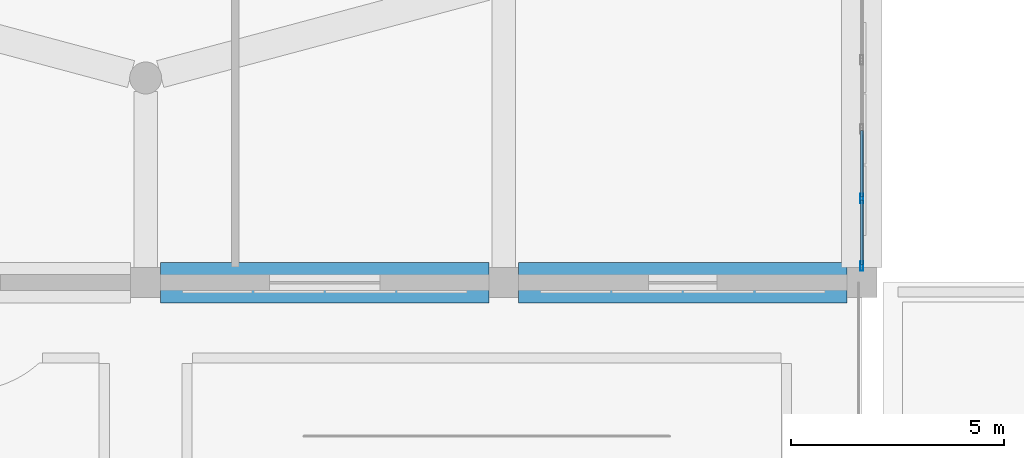
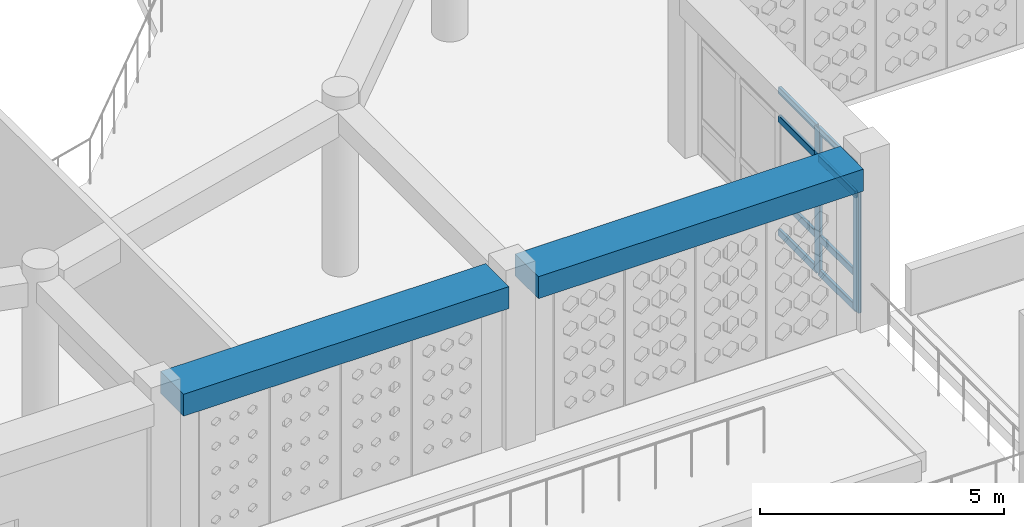
# One storey, part 14 of 100: 10 members, 2 beams, 1 element without a shape of its own.
"""IFC4 building model written with IfcOpenShell, lengths in metres."""

import ifcopenshell
import ifcopenshell.guid

model = None  # the IFC model being written
_history = None  # IfcOwnerHistory: only IFC2X3 demands one
_inside = {}  # id of a spatial element -> (the spatial element, [elements in it])
_under = {}  # id of a project, library or spatial element -> (it, [spatial elements below it])
_declared = {}  # id of a project -> (the project, [libraries it declares])
_typed = {}  # id of a type object -> (the type object, [elements of that type])
_made_of = {}  # id of a material, layer set ... -> (it, [elements and type objects made of it])


def new_model(schema):
    """Start an empty IFC model of exactly this schema.

    Asked for "IFC4X3", IfcOpenShell would pick the latest addendum, in which some entities
    have other attributes; the version numbers below select the first issue.
    IFC2X3 requires an IfcOwnerHistory on every rooted entity: one is made here for all.
    """
    global model, _history
    if schema == "IFC4X3":
        model = ifcopenshell.file(schema_version=(4, 3, 0, 0))
    else:
        model = ifcopenshell.file(schema=schema)
    _inside.clear()
    _under.clear()
    _declared.clear()
    _typed.clear()
    _made_of.clear()
    _history = None
    if model.schema == "IFC2X3":
        org = make("IfcOrganization", Name="unknown")
        user = make(
            "IfcPersonAndOrganization",
            ThePerson=make("IfcPerson", FamilyName="unknown"),
            TheOrganization=org,
        )
        app = make(
            "IfcApplication",
            ApplicationDeveloper=org,
            Version="unknown",
            ApplicationFullName="unknown",
            ApplicationIdentifier="unknown",
        )
        _history = make(
            "IfcOwnerHistory",
            OwningUser=user,
            OwningApplication=app,
            ChangeAction="ADDED",
            CreationDate=0,
        )
    return model


def make(cls, **values):
    """One entity of the class cls with the attributes given. An attribute that is None is left unset."""
    return model.create_entity(
        cls, **{name: value for name, value in values.items() if value is not None}
    )


def rooted(cls, **values):
    """An entity with a GlobalId (a new one), such as an element, a storey or a relation."""
    return make(cls, GlobalId=ifcopenshell.guid.new(), OwnerHistory=_history, **values)


def si_unit(unit_type, name, prefix=None):
    """IfcSIUnit, for example si_unit("LENGTHUNIT", "METRE", prefix="MILLI")."""
    return make("IfcSIUnit", UnitType=unit_type, Prefix=prefix, Name=name)


def derived_unit(unit_type, elements):
    """IfcDerivedUnit: a product of units, each with its exponent."""
    return make(
        "IfcDerivedUnit",
        Elements=[
            make("IfcDerivedUnitElement", Unit=unit, Exponent=power)
            for unit, power in elements
        ],
        UnitType=unit_type,
    )


def assignment(units):
    """IfcUnitAssignment: the units of a project."""
    return None if units is None else make("IfcUnitAssignment", Units=units)


def point(xyz):
    """IfcCartesianPoint."""
    return None if xyz is None else make("IfcCartesianPoint", Coordinates=xyz)


def direction(xyz):
    """IfcDirection."""
    return None if xyz is None else make("IfcDirection", DirectionRatios=xyz)


def frame(location, z_axis=None, x_axis=None):
    """IfcAxis2Placement3D, a coordinate frame: its origin and axes. An axis left out is left unset."""
    return make(
        "IfcAxis2Placement3D",
        Location=point(location),
        Axis=direction(z_axis),
        RefDirection=direction(x_axis),
    )


def frame_2d(location, x_axis=None):
    """IfcAxis2Placement2D, a coordinate frame in the plane: its origin and x axis."""
    return make(
        "IfcAxis2Placement2D", Location=point(location), RefDirection=direction(x_axis)
    )


def origin():
    """The frame at (0, 0, 0) with its axes left unset."""
    return frame((0.0, 0.0, 0.0))


def origin_2d():
    """The frame at (0, 0) in the plane with its x axis left unset."""
    return frame_2d((0.0, 0.0))


def place(relative_to, where):
    """IfcLocalPlacement: puts the frame where relative to a parent placement (None: the world)."""
    return make(
        "IfcLocalPlacement", PlacementRelTo=relative_to, RelativePlacement=where
    )


def context(
    kind, dimensions, precision=None, world=None, true_north=None, identifier=None
):
    """IfcGeometricRepresentationContext, for example the 3D "Model" context."""
    return make(
        "IfcGeometricRepresentationContext",
        ContextIdentifier=identifier,
        ContextType=kind,
        CoordinateSpaceDimension=dimensions,
        Precision=precision,
        WorldCoordinateSystem=world,
        TrueNorth=true_north,
    )


def subcontext(parent, identifier, kind, view, scale=None):
    """IfcGeometricRepresentationSubContext, for example "Body" below "Model"."""
    return make(
        "IfcGeometricRepresentationSubContext",
        ContextIdentifier=identifier,
        ContextType=kind,
        ParentContext=parent,
        TargetScale=scale,
        TargetView=view,
    )


def project(units=None, contexts=None):
    """IfcProject with its units and contexts."""
    return rooted(
        "IfcProject",
        Name="project",
        RepresentationContexts=contexts,
        UnitsInContext=assignment(units),
    )


def spatial(cls, under=None, at=None, **own):
    """A site, building, storey or space (cls), placed at a placement, below another one or the project."""
    s = rooted(cls, ObjectPlacement=at, **own)
    if under is not None:
        _under.setdefault(under.id(), (under, []))[1].append(s)
    return s


def profile(cls, at=None, kind="AREA", **sizes):
    """A parametric profile (cls). Its sizes go by their IFC names, for example OverallWidth=200.0."""
    return make(cls, ProfileType=kind, Position=at, **sizes)


def rectangle(**sizes):
    """IfcRectangleProfileDef."""
    return profile("IfcRectangleProfileDef", **sizes)


def hollow_rectangle(**sizes):
    """IfcRectangleHollowProfileDef."""
    return profile("IfcRectangleHollowProfileDef", **sizes)


def extrude(swept, where, along, depth):
    """IfcExtrudedAreaSolid: the profile swept, set in the frame where, extruded along a direction by depth."""
    return make(
        "IfcExtrudedAreaSolid",
        SweptArea=swept,
        Position=where,
        ExtrudedDirection=direction(along),
        Depth=depth,
    )


def shape(context_of_items, identifier, shape_type, items):
    """IfcShapeRepresentation: the items that make up one representation, for example the "Body"."""
    return make(
        "IfcShapeRepresentation",
        ContextOfItems=context_of_items,
        RepresentationIdentifier=identifier,
        RepresentationType=shape_type,
        Items=items,
    )


def material(Name=None, Category=None):
    """IfcMaterial."""
    return make("IfcMaterial", Name=Name, Category=Category)


def material_profile(
    of_material, cross_section, Name=None, Category=None, Priority=None
):
    """IfcMaterialProfile: a cross section and its material."""
    return make(
        "IfcMaterialProfile",
        Name=Name,
        Material=of_material,
        Profile=cross_section,
        Priority=Priority,
        Category=Category,
    )


def profile_set(profiles, Name=None, composite=None):
    """IfcMaterialProfileSet."""
    return make(
        "IfcMaterialProfileSet",
        Name=Name,
        MaterialProfiles=profiles,
        CompositeProfile=composite,
    )


def made_of(thing, what):
    """Note that an element or type object is made of a material, layer set ...; save() writes the relation."""
    if what is not None:
        _made_of.setdefault(what.id(), (what, []))[1].append(thing)
    return thing


def type_object(cls, material=None, **own):
    """A type object (cls), such as IfcWallType, which elements share."""
    return made_of(rooted(cls, **own), material)


def element(
    cls,
    number,
    at=None,
    inside=None,
    cuts=None,
    type_object=None,
    material=None,
    context=None,
    identifier="Body",
    shape_type=None,
    held_by="IfcProductDefinitionShape",
    body=None,
    shapes=None,
    **own,
):
    """One element of the class cls, such as IfcWall. Its Tag is "e" and its number.

    at: its placement. inside: the storey or other place that contains it. cuts: it is an
    opening in that element (IfcRelVoidsElement). A single representation is given by context,
    identifier, shape_type and body (its items); several are given by shapes. held_by: the class
    of the entity that holds the representations. save() writes the other relations.
    """
    e = rooted(cls, Tag="e%d" % number, ObjectPlacement=at, **own)
    if body is not None:
        shapes = [shape(context, identifier, shape_type, body)]
    if shapes is not None:
        e.Representation = make(held_by, Representations=shapes)
    if inside is not None:
        _inside.setdefault(inside.id(), (inside, []))[1].append(e)
    if cuts is not None:
        rooted(
            "IfcRelVoidsElement", RelatingBuildingElement=cuts, RelatedOpeningElement=e
        )
    if type_object is not None:
        _typed.setdefault(type_object.id(), (type_object, []))[1].append(e)
    return made_of(e, material)


def aggregate(whole, parts):
    """IfcRelAggregates: a whole, such as a stair, and the parts it consists of."""
    return rooted("IfcRelAggregates", RelatingObject=whole, RelatedObjects=parts)


def save(model, path):
    """Write the relations noted so far, then the file.

    IfcRelAggregates (storeys below a building ...), IfcRelContainedInSpatialStructure (elements
    in a storey), IfcRelDefinesByType, IfcRelAssociatesMaterial and IfcRelDeclares: one each for
    every whole, place, type object, material and project.
    """
    for whole, parts in _under.values():
        aggregate(whole, parts)
    for where, things in _inside.values():
        rooted(
            "IfcRelContainedInSpatialStructure",
            RelatedElements=things,
            RelatingStructure=where,
        )
    for kind, things in _typed.values():
        rooted("IfcRelDefinesByType", RelatedObjects=things, RelatingType=kind)
    for what, things in _made_of.values():
        rooted("IfcRelAssociatesMaterial", RelatedObjects=things, RelatingMaterial=what)
    for by, libraries in _declared.values():
        rooted("IfcRelDeclares", RelatingContext=by, RelatedDefinitions=libraries)
    model.write(path)


model = new_model("IFC4")

# Units and contexts
model_context = context("Model", 3, precision=1e-05, world=origin(), true_north=direction((0.0, 1.0)))
body_context = subcontext(model_context, "Body", "Model", "MODEL_VIEW")
ifc_project = project(units=[si_unit("LENGTHUNIT", "METRE"), si_unit("AREAUNIT", "SQUARE_METRE"), si_unit("VOLUMEUNIT", "CUBIC_METRE"), si_unit("PLANEANGLEUNIT", "RADIAN"), si_unit("MASSUNIT", "GRAM", prefix="KILO"), derived_unit("THERMALTRANSMITTANCEUNIT", [(si_unit("POWERUNIT", "WATT"), 1), (si_unit("LENGTHUNIT", "METRE"), -2), (si_unit("THERMODYNAMICTEMPERATUREUNIT", "KELVIN"), -1)])], contexts=[model_context])

# Site, building, storey
site_placement = place(None, origin())
site = spatial("IfcSite", under=ifc_project, at=site_placement, CompositionType="ELEMENT")
building_placement = place(site_placement, origin())
building = spatial("IfcBuilding", under=site, at=building_placement, Name="Veybourne Emporium", CompositionType="ELEMENT")
storey_placement = place(building_placement, frame((0.0, 0.0, 14.39990234375)))
storey = spatial("IfcBuildingStorey", under=building, at=storey_placement, Name="L03", CompositionType="ELEMENT", Elevation=14.39990234375)

# Curtain wall, members
ifc_material_1 = material(Name="Patinated Architectural Bronze", Category="bronze")
curtain_wall_type = type_object("IfcCurtainWallType", Name="CWSystem_CWS-17", PredefinedType="NOTDEFINED", material=ifc_material_1)
curtain_wall_placement = place(storey_placement, origin())
curtain_wall = element("IfcCurtainWall", 1, at=curtain_wall_placement, inside=storey, type_object=curtain_wall_type, Name="L03 bronze glazed curtain wall CWS-17 (042)", PredefinedType="NOTDEFINED")
ifc_material_profile_1 = material_profile(ifc_material_1, hollow_rectangle(XDim=0.072021484375, YDim=0.22509765625, WallThickness=0.0048828125, InnerFilletRadius=0.007568359375, OuterFilletRadius=0.012451171875, at=origin_2d()), Name="CWM 72x225x5")
ifc_profile_set_1 = profile_set([ifc_material_profile_1], Name="Patinated Architectural Bronze")
member_type_1 = type_object("IfcMemberType", Name="CWMullion_CW-M1", PredefinedType="MULLION", material=ifc_profile_set_1)
member_1_placement = place(storey_placement, frame((92.39990234375, 30.77490234375, 0.0), z_axis=(0.0, 0.0, 1.0), x_axis=(1.0, 0.0, 0.0)))
member_1 = element("IfcMember", 2, at=member_1_placement, type_object=member_type_1, Name="CWS-17 mullion 4", PredefinedType="MULLION", context=body_context, shape_type="SweptSolid", body=[
    extrude(hollow_rectangle(XDim=0.072021484375, YDim=0.22509765625, WallThickness=0.0048828125, InnerFilletRadius=0.007568359375, OuterFilletRadius=0.012451171875, at=origin_2d()), origin(), (0.0, 0.0, 1.0), 3.630126953125),
])
member_2_placement = place(storey_placement, frame((92.39990234375, 29.18603515625, 0.0), z_axis=(0.0, 0.0, 1.0), x_axis=(1.0, 0.0, 0.0)))
member_2 = element("IfcMember", 3, at=member_2_placement, type_object=member_type_1, Name="CWS-17 mullion 5", PredefinedType="MULLION", context=body_context, shape_type="SweptSolid", body=[
    extrude(hollow_rectangle(XDim=0.072021484375, YDim=0.22509765625, WallThickness=0.0048828125, InnerFilletRadius=0.007568359375, OuterFilletRadius=0.012451171875, at=origin_2d()), origin(), (0.0, 0.0, 1.0), 3.630126953125),
])
ifc_material_profile_2 = material_profile(ifc_material_1, hollow_rectangle(XDim=0.072021484375, YDim=0.175048828125, WallThickness=0.0048828125, InnerFilletRadius=0.007568359375, OuterFilletRadius=0.012451171875, at=origin_2d()), Name="CWT 72x175x5")
ifc_profile_set_2 = profile_set([ifc_material_profile_2], Name="Patinated Architectural Bronze")
member_type_2 = type_object("IfcMemberType", Name="CWTransom_CW-T1", PredefinedType="NOTDEFINED", material=ifc_profile_set_2)
member_3_placement = place(storey_placement, frame((92.39990234375, 32.364013671875, 0.0361328125), z_axis=(0.0, -1.0, 0.0), x_axis=(1.0, 0.0, 0.0)))
member_3 = element("IfcMember", 4, at=member_3_placement, type_object=member_type_2, Name="CWS-17 transom 3.1", ObjectType="TRANSOM", PredefinedType="USERDEFINED", context=body_context, shape_type="SweptSolid", body=[
    extrude(hollow_rectangle(XDim=0.072021484375, YDim=0.175048828125, WallThickness=0.0048828125, InnerFilletRadius=0.007568359375, OuterFilletRadius=0.012451171875, at=origin_2d()), origin(), (0.0, 0.0, 1.0), 1.552978515625),
])
member_4_placement = place(storey_placement, frame((92.39990234375, 32.364013671875, 0.900146484375), z_axis=(0.0, -1.0, 0.0), x_axis=(1.0, 0.0, 0.0)))
member_4 = element("IfcMember", 5, at=member_4_placement, type_object=member_type_2, Name="CWS-17 transom 3.2", ObjectType="TRANSOM", PredefinedType="USERDEFINED", context=body_context, shape_type="SweptSolid", body=[
    extrude(hollow_rectangle(XDim=0.072021484375, YDim=0.175048828125, WallThickness=0.0048828125, InnerFilletRadius=0.007568359375, OuterFilletRadius=0.012451171875, at=origin_2d()), origin(), (0.0, 0.0, 1.0), 1.552978515625),
])
member_5_placement = place(storey_placement, frame((92.39990234375, 32.364013671875, 2.880126953125), z_axis=(0.0, -1.0, 0.0), x_axis=(1.0, 0.0, 0.0)))
member_5 = element("IfcMember", 6, at=member_5_placement, type_object=member_type_2, Name="CWS-17 transom 3.3", ObjectType="TRANSOM", PredefinedType="USERDEFINED", context=body_context, shape_type="SweptSolid", body=[
    extrude(hollow_rectangle(XDim=0.072021484375, YDim=0.175048828125, WallThickness=0.0048828125, InnerFilletRadius=0.007568359375, OuterFilletRadius=0.012451171875, at=origin_2d()), origin(), (0.0, 0.0, 1.0), 1.552978515625),
])
member_6_placement = place(storey_placement, frame((92.39990234375, 32.364013671875, 3.593994140625), z_axis=(0.0, -1.0, 0.0), x_axis=(1.0, 0.0, 0.0)))
member_6 = element("IfcMember", 7, at=member_6_placement, type_object=member_type_2, Name="CWS-17 transom 3.4", ObjectType="TRANSOM", PredefinedType="USERDEFINED", context=body_context, shape_type="SweptSolid", body=[
    extrude(hollow_rectangle(XDim=0.072021484375, YDim=0.175048828125, WallThickness=0.0048828125, InnerFilletRadius=0.007568359375, OuterFilletRadius=0.012451171875, at=origin_2d()), origin(), (0.0, 0.0, 1.0), 1.552978515625),
])
member_7_placement = place(storey_placement, frame((92.39990234375, 30.739013671875, 0.0361328125), z_axis=(0.0, -1.0, 0.0), x_axis=(1.0, 0.0, 0.0)))
member_7 = element("IfcMember", 8, at=member_7_placement, type_object=member_type_2, Name="CWS-17 transom 4.1", ObjectType="TRANSOM", PredefinedType="USERDEFINED", context=body_context, shape_type="SweptSolid", body=[
    extrude(hollow_rectangle(XDim=0.072021484375, YDim=0.175048828125, WallThickness=0.0048828125, InnerFilletRadius=0.007568359375, OuterFilletRadius=0.012451171875, at=origin_2d()), origin(), (0.0, 0.0, 1.0), 1.51708984375),
])
member_8_placement = place(storey_placement, frame((92.39990234375, 30.739013671875, 0.900146484375), z_axis=(0.0, -1.0, 0.0), x_axis=(1.0, 0.0, 0.0)))
member_8 = element("IfcMember", 9, at=member_8_placement, type_object=member_type_2, Name="CWS-17 transom 4.2", ObjectType="TRANSOM", PredefinedType="USERDEFINED", context=body_context, shape_type="SweptSolid", body=[
    extrude(hollow_rectangle(XDim=0.072021484375, YDim=0.175048828125, WallThickness=0.0048828125, InnerFilletRadius=0.007568359375, OuterFilletRadius=0.012451171875, at=origin_2d()), origin(), (0.0, 0.0, 1.0), 1.51708984375),
])
member_9_placement = place(storey_placement, frame((92.39990234375, 30.739013671875, 2.880126953125), z_axis=(0.0, -1.0, 0.0), x_axis=(1.0, 0.0, 0.0)))
member_9 = element("IfcMember", 10, at=member_9_placement, type_object=member_type_2, Name="CWS-17 transom 4.3", ObjectType="TRANSOM", PredefinedType="USERDEFINED", context=body_context, shape_type="SweptSolid", body=[
    extrude(hollow_rectangle(XDim=0.072021484375, YDim=0.175048828125, WallThickness=0.0048828125, InnerFilletRadius=0.007568359375, OuterFilletRadius=0.012451171875, at=origin_2d()), origin(), (0.0, 0.0, 1.0), 1.51708984375),
])
member_10_placement = place(storey_placement, frame((92.39990234375, 30.739013671875, 3.593994140625), z_axis=(0.0, -1.0, 0.0), x_axis=(1.0, 0.0, 0.0)))
member_10 = element("IfcMember", 11, at=member_10_placement, type_object=member_type_2, Name="CWS-17 transom 4.4", ObjectType="TRANSOM", PredefinedType="USERDEFINED", context=body_context, shape_type="SweptSolid", body=[
    extrude(hollow_rectangle(XDim=0.072021484375, YDim=0.175048828125, WallThickness=0.0048828125, InnerFilletRadius=0.007568359375, OuterFilletRadius=0.012451171875, at=origin_2d()), origin(), (0.0, 0.0, 1.0), 1.51708984375),
])
aggregate(curtain_wall, [member_1, member_2, member_3, member_4, member_5, member_6, member_7, member_8, member_9, member_10])

# Beams
ifc_material_2 = material(Name="Concrete C32/40", Category="concrete")
ifc_material_profile_3 = material_profile(ifc_material_2, rectangle(XDim=0.949951171875, YDim=0.550048828125, at=origin_2d()), Name="RC 950x550")
ifc_profile_set_3 = profile_set([ifc_material_profile_3], Name="Concrete C32/40")
beam_type = type_object("IfcBeamType", Name="RCBeam_EB-01", PredefinedType="SPANDREL", material=ifc_profile_set_3)
for number, where, z_axis, x_axis, name in (
    (12, (75.949951171875, 28.800048828125, 3.905029296875), (1.0, 0.0, 0.0), (0.0, 1.0, 0.0), "L03 X-grid beam EB-01 (9,4)"),
    (13, (84.35009765625, 28.800048828125, 3.905029296875), (1.0, 0.0, 0.0), (0.0, 1.0, 0.0), "L03 X-grid beam EB-01 (10,4)"),
):
    element("IfcBeam", number, at=place(storey_placement, frame(where, z_axis=z_axis, x_axis=x_axis)), inside=storey, type_object=beam_type, Name=name, PredefinedType="SPANDREL", context=body_context, shape_type="SweptSolid", body=[
        extrude(rectangle(XDim=0.949951171875, YDim=0.550048828125, at=origin_2d()), origin(), (0.0, 0.0, 1.0), 7.699951171875),
    ])

save(model, "model.ifc")
